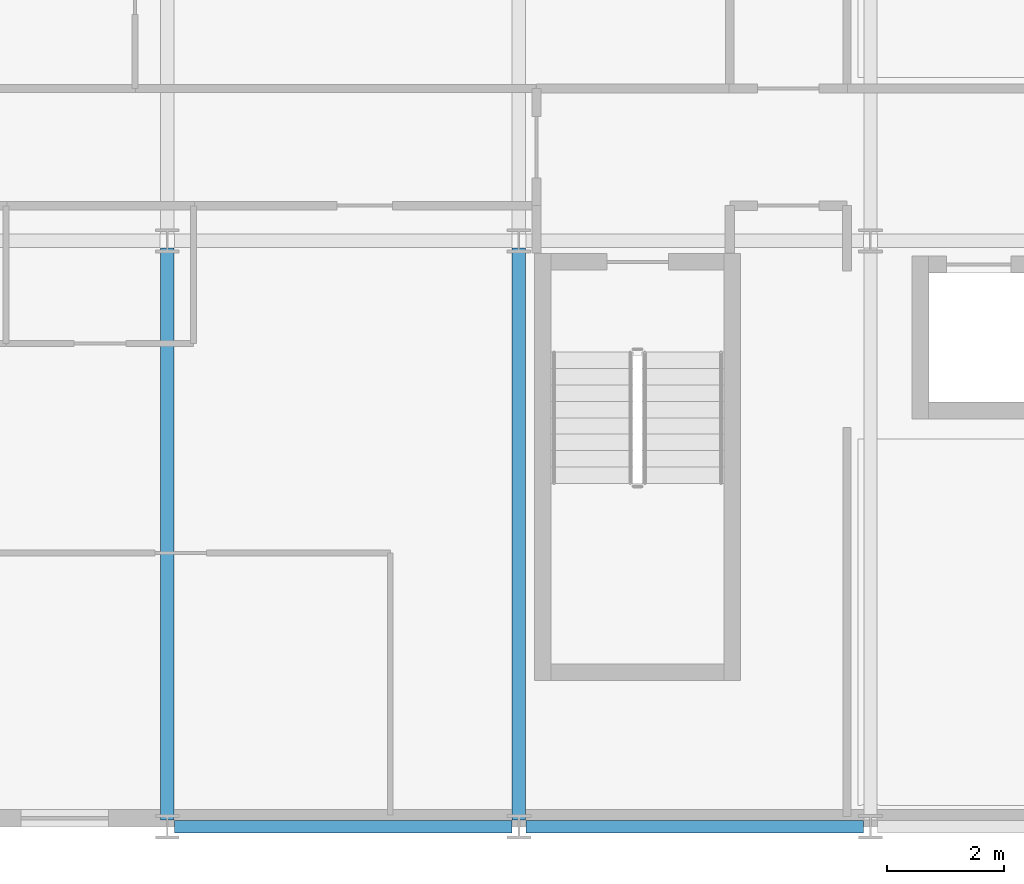
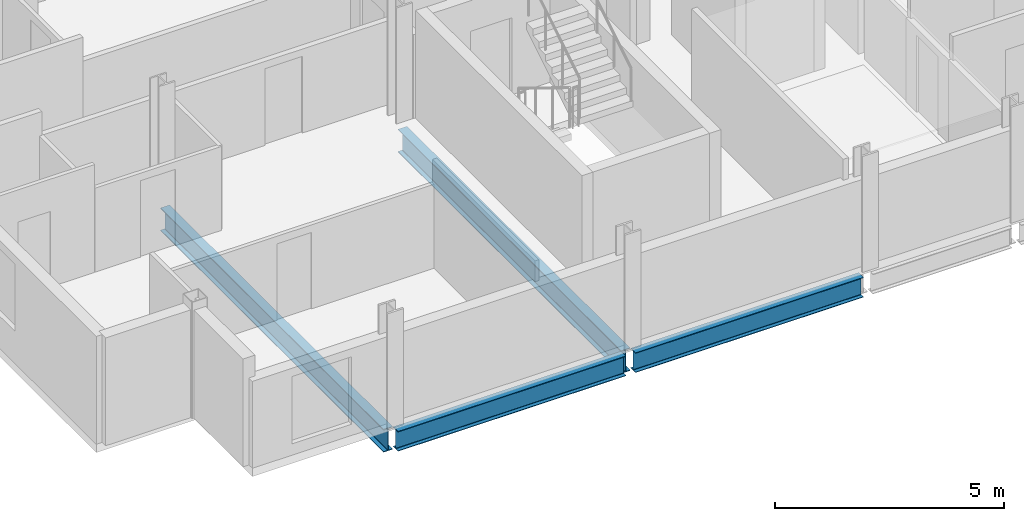
# One storey, part 3 of 40: 4 beams.
"""IFC4 building model written with IfcOpenShell, lengths in metres."""

import ifcopenshell
import ifcopenshell.guid

model = None  # the IFC model being written
_history = None  # IfcOwnerHistory: only IFC2X3 demands one
_inside = {}  # id of a spatial element -> (the spatial element, [elements in it])
_under = {}  # id of a project, library or spatial element -> (it, [spatial elements below it])
_declared = {}  # id of a project -> (the project, [libraries it declares])
_typed = {}  # id of a type object -> (the type object, [elements of that type])
_made_of = {}  # id of a material, layer set ... -> (it, [elements and type objects made of it])


def new_model(schema):
    """Start an empty IFC model of exactly this schema.

    Asked for "IFC4X3", IfcOpenShell would pick the latest addendum, in which some entities
    have other attributes; the version numbers below select the first issue.
    IFC2X3 requires an IfcOwnerHistory on every rooted entity: one is made here for all.
    """
    global model, _history
    if schema == "IFC4X3":
        model = ifcopenshell.file(schema_version=(4, 3, 0, 0))
    else:
        model = ifcopenshell.file(schema=schema)
    _inside.clear()
    _under.clear()
    _declared.clear()
    _typed.clear()
    _made_of.clear()
    _history = None
    if model.schema == "IFC2X3":
        org = make("IfcOrganization", Name="unknown")
        user = make(
            "IfcPersonAndOrganization",
            ThePerson=make("IfcPerson", FamilyName="unknown"),
            TheOrganization=org,
        )
        app = make(
            "IfcApplication",
            ApplicationDeveloper=org,
            Version="unknown",
            ApplicationFullName="unknown",
            ApplicationIdentifier="unknown",
        )
        _history = make(
            "IfcOwnerHistory",
            OwningUser=user,
            OwningApplication=app,
            ChangeAction="ADDED",
            CreationDate=0,
        )
    return model


def make(cls, **values):
    """One entity of the class cls with the attributes given. An attribute that is None is left unset."""
    return model.create_entity(
        cls, **{name: value for name, value in values.items() if value is not None}
    )


def rooted(cls, **values):
    """An entity with a GlobalId (a new one), such as an element, a storey or a relation."""
    return make(cls, GlobalId=ifcopenshell.guid.new(), OwnerHistory=_history, **values)


def si_unit(unit_type, name, prefix=None):
    """IfcSIUnit, for example si_unit("LENGTHUNIT", "METRE", prefix="MILLI")."""
    return make("IfcSIUnit", UnitType=unit_type, Prefix=prefix, Name=name)


def assignment(units):
    """IfcUnitAssignment: the units of a project."""
    return None if units is None else make("IfcUnitAssignment", Units=units)


def point(xyz):
    """IfcCartesianPoint."""
    return None if xyz is None else make("IfcCartesianPoint", Coordinates=xyz)


def direction(xyz):
    """IfcDirection."""
    return None if xyz is None else make("IfcDirection", DirectionRatios=xyz)


def frame(location, z_axis=None, x_axis=None):
    """IfcAxis2Placement3D, a coordinate frame: its origin and axes. An axis left out is left unset."""
    return make(
        "IfcAxis2Placement3D",
        Location=point(location),
        Axis=direction(z_axis),
        RefDirection=direction(x_axis),
    )


def frame_2d(location, x_axis=None):
    """IfcAxis2Placement2D, a coordinate frame in the plane: its origin and x axis."""
    return make(
        "IfcAxis2Placement2D", Location=point(location), RefDirection=direction(x_axis)
    )


def origin():
    """The frame at (0, 0, 0) with its axes left unset."""
    return frame((0.0, 0.0, 0.0))


def origin_2d():
    """The frame at (0, 0) in the plane with its x axis left unset."""
    return frame_2d((0.0, 0.0))


def place(relative_to, where):
    """IfcLocalPlacement: puts the frame where relative to a parent placement (None: the world)."""
    return make(
        "IfcLocalPlacement", PlacementRelTo=relative_to, RelativePlacement=where
    )


def context(
    kind, dimensions, precision=None, world=None, true_north=None, identifier=None
):
    """IfcGeometricRepresentationContext, for example the 3D "Model" context."""
    return make(
        "IfcGeometricRepresentationContext",
        ContextIdentifier=identifier,
        ContextType=kind,
        CoordinateSpaceDimension=dimensions,
        Precision=precision,
        WorldCoordinateSystem=world,
        TrueNorth=true_north,
    )


def subcontext(parent, identifier, kind, view, scale=None):
    """IfcGeometricRepresentationSubContext, for example "Body" below "Model"."""
    return make(
        "IfcGeometricRepresentationSubContext",
        ContextIdentifier=identifier,
        ContextType=kind,
        ParentContext=parent,
        TargetScale=scale,
        TargetView=view,
    )


def project(units=None, contexts=None):
    """IfcProject with its units and contexts."""
    return rooted(
        "IfcProject",
        Name="project",
        RepresentationContexts=contexts,
        UnitsInContext=assignment(units),
    )


def spatial(cls, under=None, at=None, **own):
    """A site, building, storey or space (cls), placed at a placement, below another one or the project."""
    s = rooted(cls, ObjectPlacement=at, **own)
    if under is not None:
        _under.setdefault(under.id(), (under, []))[1].append(s)
    return s


def profile(cls, at=None, kind="AREA", **sizes):
    """A parametric profile (cls). Its sizes go by their IFC names, for example OverallWidth=200.0."""
    return make(cls, ProfileType=kind, Position=at, **sizes)


def i_section(**sizes):
    """IfcIShapeProfileDef."""
    return profile("IfcIShapeProfileDef", **sizes)


def extrude(swept, where, along, depth):
    """IfcExtrudedAreaSolid: the profile swept, set in the frame where, extruded along a direction by depth."""
    return make(
        "IfcExtrudedAreaSolid",
        SweptArea=swept,
        Position=where,
        ExtrudedDirection=direction(along),
        Depth=depth,
    )


def shape(context_of_items, identifier, shape_type, items):
    """IfcShapeRepresentation: the items that make up one representation, for example the "Body"."""
    return make(
        "IfcShapeRepresentation",
        ContextOfItems=context_of_items,
        RepresentationIdentifier=identifier,
        RepresentationType=shape_type,
        Items=items,
    )


def material(Name=None, Category=None):
    """IfcMaterial."""
    return make("IfcMaterial", Name=Name, Category=Category)


def material_profile(
    of_material, cross_section, Name=None, Category=None, Priority=None
):
    """IfcMaterialProfile: a cross section and its material."""
    return make(
        "IfcMaterialProfile",
        Name=Name,
        Material=of_material,
        Profile=cross_section,
        Priority=Priority,
        Category=Category,
    )


def profile_set(profiles, Name=None, composite=None):
    """IfcMaterialProfileSet."""
    return make(
        "IfcMaterialProfileSet",
        Name=Name,
        MaterialProfiles=profiles,
        CompositeProfile=composite,
    )


def made_of(thing, what):
    """Note that an element or type object is made of a material, layer set ...; save() writes the relation."""
    if what is not None:
        _made_of.setdefault(what.id(), (what, []))[1].append(thing)
    return thing


def type_object(cls, material=None, **own):
    """A type object (cls), such as IfcWallType, which elements share."""
    return made_of(rooted(cls, **own), material)


def element(
    cls,
    number,
    at=None,
    inside=None,
    cuts=None,
    type_object=None,
    material=None,
    context=None,
    identifier="Body",
    shape_type=None,
    held_by="IfcProductDefinitionShape",
    body=None,
    shapes=None,
    **own,
):
    """One element of the class cls, such as IfcWall. Its Tag is "e" and its number.

    at: its placement. inside: the storey or other place that contains it. cuts: it is an
    opening in that element (IfcRelVoidsElement). A single representation is given by context,
    identifier, shape_type and body (its items); several are given by shapes. held_by: the class
    of the entity that holds the representations. save() writes the other relations.
    """
    e = rooted(cls, Tag="e%d" % number, ObjectPlacement=at, **own)
    if body is not None:
        shapes = [shape(context, identifier, shape_type, body)]
    if shapes is not None:
        e.Representation = make(held_by, Representations=shapes)
    if inside is not None:
        _inside.setdefault(inside.id(), (inside, []))[1].append(e)
    if cuts is not None:
        rooted(
            "IfcRelVoidsElement", RelatingBuildingElement=cuts, RelatedOpeningElement=e
        )
    if type_object is not None:
        _typed.setdefault(type_object.id(), (type_object, []))[1].append(e)
    return made_of(e, material)


def aggregate(whole, parts):
    """IfcRelAggregates: a whole, such as a stair, and the parts it consists of."""
    return rooted("IfcRelAggregates", RelatingObject=whole, RelatedObjects=parts)


def save(model, path):
    """Write the relations noted so far, then the file.

    IfcRelAggregates (storeys below a building ...), IfcRelContainedInSpatialStructure (elements
    in a storey), IfcRelDefinesByType, IfcRelAssociatesMaterial and IfcRelDeclares: one each for
    every whole, place, type object, material and project.
    """
    for whole, parts in _under.values():
        aggregate(whole, parts)
    for where, things in _inside.values():
        rooted(
            "IfcRelContainedInSpatialStructure",
            RelatedElements=things,
            RelatingStructure=where,
        )
    for kind, things in _typed.values():
        rooted("IfcRelDefinesByType", RelatedObjects=things, RelatingType=kind)
    for what, things in _made_of.values():
        rooted("IfcRelAssociatesMaterial", RelatedObjects=things, RelatingMaterial=what)
    for by, libraries in _declared.values():
        rooted("IfcRelDeclares", RelatingContext=by, RelatedDefinitions=libraries)
    model.write(path)


model = new_model("IFC4")

# Units and contexts
model_context = context("Model", 3, precision=1e-05, world=origin(), true_north=direction((0.0, 1.0)))
body_context = subcontext(model_context, "Body", "Model", "MODEL_VIEW")
ifc_project = project(units=[si_unit("LENGTHUNIT", "METRE"), si_unit("AREAUNIT", "SQUARE_METRE"), si_unit("VOLUMEUNIT", "CUBIC_METRE"), si_unit("PLANEANGLEUNIT", "RADIAN"), si_unit("MASSUNIT", "GRAM", prefix="KILO")], contexts=[model_context])

# Site, building, storey
site_placement = place(None, origin())
site = spatial("IfcSite", under=ifc_project, at=site_placement, CompositionType="ELEMENT")
building_placement = place(site_placement, origin())
building = spatial("IfcBuilding", under=site, at=building_placement, Name="Brevholm Reach", CompositionType="ELEMENT")
storey_placement = place(building_placement, frame((0.0, 0.0, 148.0)))
storey = spatial("IfcBuildingStorey", under=building, at=storey_placement, Name="L44", CompositionType="ELEMENT", Elevation=148.0)

# Beams
ifc_material_1 = material(Name="Structural Steel S355J2", Category="steel")
ifc_material_profile_1 = material_profile(ifc_material_1, i_section(OverallWidth=0.209228515625, OverallDepth=0.533203125, WebThickness=0.010009765625, FlangeThickness=0.015625, FilletRadius=0.0126953125, at=origin_2d()), Name="UKB 533x210x92")
ifc_profile_set_1 = profile_set([ifc_material_profile_1], Name="Structural Steel S355J2")
beam_type_1 = type_object("IfcBeamType", Name="BM-SP533", PredefinedType="SPANDREL", material=ifc_profile_set_1)
for number, where, z_axis, x_axis, name in (
    (1, (6.1201171875, 0.0, -0.486572265625), (1.0, 0.0, 0.0), (0.0, 1.0, 0.0), "L44 SP-02 Framing Beam"),
    (2, (12.1201171875, 0.0, -0.486572265625), (1.0, 0.0, 0.0), (0.0, 1.0, 0.0), "L44 SP-02 Framing Beam"),
):
    element("IfcBeam", number, at=place(storey_placement, frame(where, z_axis=z_axis, x_axis=x_axis)), inside=storey, type_object=beam_type_1, Name=name, PredefinedType="SPANDREL", context=body_context, shape_type="SweptSolid", body=[
        extrude(i_section(OverallWidth=0.209228515625, OverallDepth=0.533203125, WebThickness=0.010009765625, FlangeThickness=0.015625, FilletRadius=0.0126953125, at=origin_2d()), origin(), (0.0, 0.0, 1.0), 5.759765625),
    ])
ifc_material_2 = material(Name="Structural Steel S355J2", Category="steel")
ifc_material_profile_2 = material_profile(ifc_material_2, i_section(OverallWidth=0.22900390625, OverallDepth=0.6123046875, WebThickness=0.011962890625, FlangeThickness=0.01953125, FilletRadius=0.0126953125, at=origin_2d()), Name="UKB 610x229x125")
ifc_profile_set_2 = profile_set([ifc_material_profile_2], Name="Structural Steel S355J2")
beam_type_2 = type_object("IfcBeamType", Name="BM-SP610", PredefinedType="SPANDREL", material=ifc_profile_set_2)
for number, where, z_axis, x_axis, name in (
    (3, (6.0, 0.1201171875, -0.526123046875), (0.0, 1.0, 0.0), (-1.0, 0.0, 0.0), "L44 SP-01 Framing Beam"),
    (4, (12.0, 0.1201171875, -0.526123046875), (0.0, 1.0, 0.0), (-1.0, 0.0, 0.0), "L44 SP-01 Framing Beam"),
):
    element("IfcBeam", number, at=place(storey_placement, frame(where, z_axis=z_axis, x_axis=x_axis)), inside=storey, type_object=beam_type_2, Name=name, PredefinedType="SPANDREL", context=body_context, shape_type="SweptSolid", body=[
        extrude(i_section(OverallWidth=0.22900390625, OverallDepth=0.6123046875, WebThickness=0.011962890625, FlangeThickness=0.01953125, FilletRadius=0.0126953125, at=origin_2d()), origin(), (0.0, 0.0, 1.0), 9.759765625),
    ])

save(model, "model.ifc")
